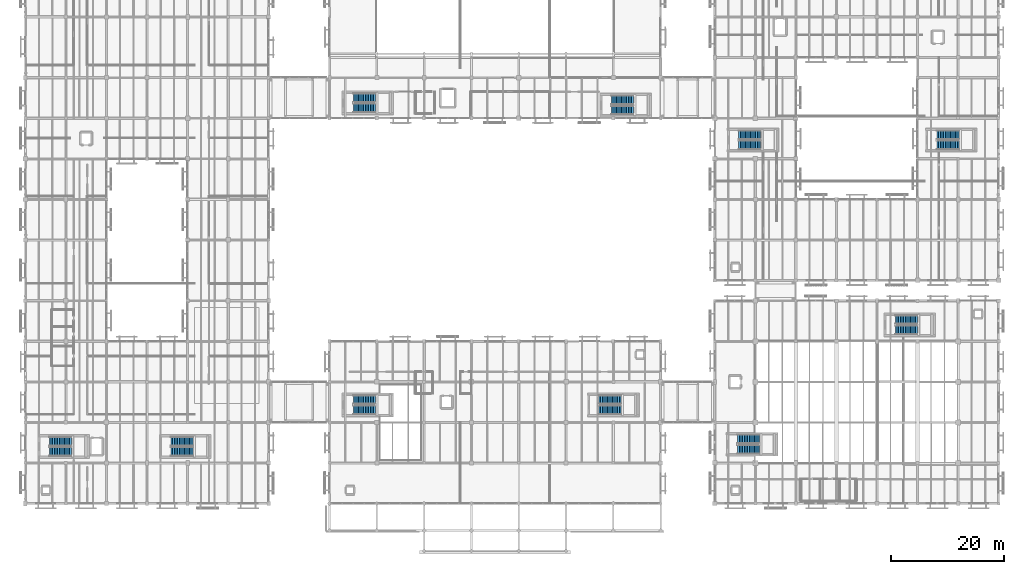
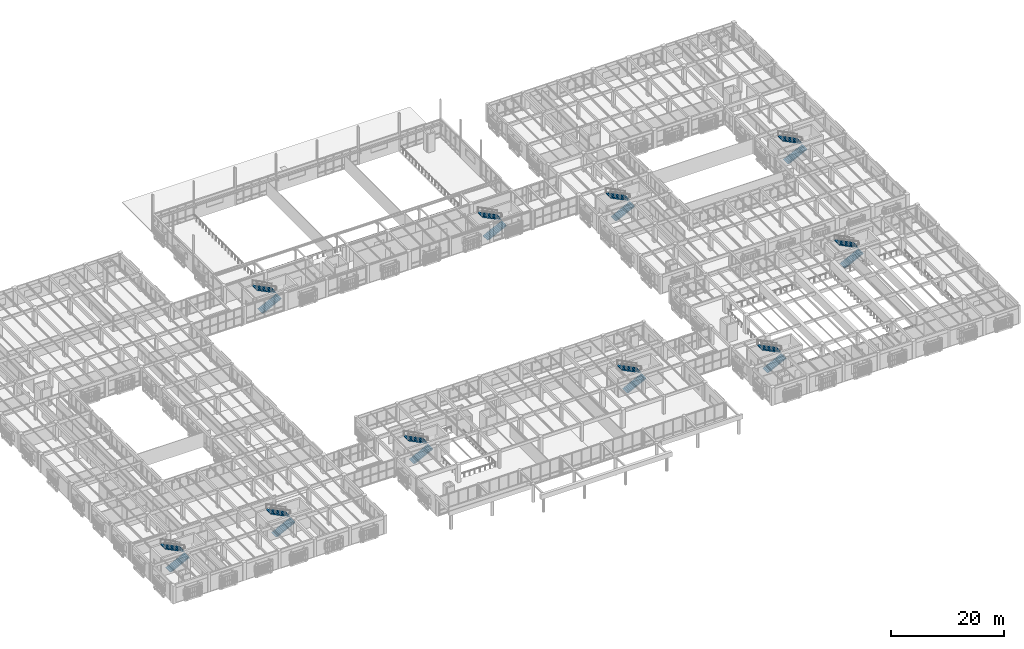
# One storey, part 141 of 170: 20 stair flights, 10 elements without a shape of their own.
"""IFC4 building model written with IfcOpenShell, lengths in metres."""

from ifc_helpers import new_model, si_unit, direction, frame, origin, place, context, subcontext, project, spatial, polyline, outline, extrude, material, type_object, element, aggregate, save


model = new_model("IFC4")

# Units and contexts
model_context = context("Model", 3, precision=1e-05, world=origin(), true_north=direction((0.0, 1.0)))
body_context = subcontext(model_context, "Body", "Model", "MODEL_VIEW")
ifc_project = project(units=[si_unit("LENGTHUNIT", "METRE"), si_unit("AREAUNIT", "SQUARE_METRE"), si_unit("VOLUMEUNIT", "CUBIC_METRE"), si_unit("PLANEANGLEUNIT", "RADIAN"), si_unit("MASSUNIT", "GRAM", prefix="KILO")], contexts=[model_context])

# Site, building, storey
site_placement = place(None, origin())
site = spatial("IfcSite", under=ifc_project, at=site_placement, CompositionType="ELEMENT")
building_placement = place(site_placement, origin())
building = spatial("IfcBuilding", under=site, at=building_placement, Name="Mazaris Harbour Polytechnic", CompositionType="ELEMENT")
storey_placement = place(building_placement, frame((0.0, 0.0, 5.39990234375)))
storey = spatial("IfcBuildingStorey", under=building, at=storey_placement, Name="L01", CompositionType="ELEMENT", Elevation=5.39990234375)

# Stair, stair flights
ifc_material_1 = material(Name="Concrete C40/50", Category="concrete")
stair_type = type_object("IfcStairType", Name="Core Exit Stair H4200", PredefinedType="HALF_TURN_STAIR", material=ifc_material_1)
stair_1_placement = place(storey_placement, origin())
stair_1 = element("IfcStair", 1, at=stair_1_placement, inside=storey, type_object=stair_type, Name="L01 ST01", PredefinedType="HALF_TURN_STAIR")
ifc_material_2 = material(Name="Concrete C40/50", Category="concrete")
stair_flight_type = type_object("IfcStairFlightType", Name="RC Stair Flight W1650", PredefinedType="STRAIGHT", material=ifc_material_2)
stair_flight_1_placement = place(storey_placement, frame((58.25, 77.425048828125, 0.0), z_axis=(0.0, 0.0, 1.0), x_axis=(1.0, 0.0, 0.0)))
stair_flight_1 = element("IfcStairFlight", 2, at=stair_flight_1_placement, type_object=stair_flight_type, Name="ST01 flight 1", NumberOfRisers=14, NumberOfTreads=13, PredefinedType="STRAIGHT", RiserHeight=0.15, TreadLength=0.3, context=body_context, shape_type="SweptSolid", body=[
    extrude(outline(polyline([(0.0, 0.0), (0.0, 0.14990234375), (0.300048828125, 0.14990234375), (0.300048828125, 0.300048828125), (0.60009765625, 0.300048828125), (0.60009765625, 0.449951171875), (0.89990234375, 0.449951171875), (0.89990234375, 0.60009765625), (1.199951171875, 0.60009765625), (1.199951171875, 0.75), (1.5, 0.75), (1.5, 0.89990234375), (1.800048828125, 0.89990234375), (1.800048828125, 1.050048828125), (2.10009765625, 1.050048828125), (2.10009765625, 1.199951171875), (2.39990234375, 1.199951171875), (2.39990234375, 1.35009765625), (2.699951171875, 1.35009765625), (2.699951171875, 1.5), (3.0, 1.5), (3.0, 1.64990234375), (3.300048828125, 1.64990234375), (3.300048828125, 1.800048828125), (3.60009765625, 1.800048828125), (3.60009765625, 1.949951171875), (3.89990234375, 1.949951171875), (3.89990234375, 2.10009765625), (3.89990234375, 1.748779296875), (0.40234375, 0.0), (0.0, 0.0)])), frame((0.0, 0.824951171875, 0.0), z_axis=(0.0, -1.0, 0.0), x_axis=(1.0, 0.0, 0.0)), (0.0, 0.0, 1.0), 1.64990234375),
])
stair_flight_2_placement = place(storey_placement, frame((62.14990234375, 79.22509765625, 2.10009765625), z_axis=(0.0, 0.0, 1.0), x_axis=(-1.0, 0.0, 0.0)))
stair_flight_2 = element("IfcStairFlight", 3, at=stair_flight_2_placement, type_object=stair_flight_type, Name="ST01 flight 2", NumberOfRisers=14, NumberOfTreads=13, PredefinedType="STRAIGHT", RiserHeight=0.15, TreadLength=0.3, context=body_context, shape_type="SweptSolid", body=[
    extrude(outline(polyline([(0.0, 0.0), (0.0, 0.14990234375), (0.300048828125, 0.14990234375), (0.300048828125, 0.300048828125), (0.60009765625, 0.300048828125), (0.60009765625, 0.449951171875), (0.89990234375, 0.449951171875), (0.89990234375, 0.60009765625), (1.199951171875, 0.60009765625), (1.199951171875, 0.75), (1.5, 0.75), (1.5, 0.89990234375), (1.800048828125, 0.89990234375), (1.800048828125, 1.050048828125), (2.10009765625, 1.050048828125), (2.10009765625, 1.199951171875), (2.39990234375, 1.199951171875), (2.39990234375, 1.35009765625), (2.699951171875, 1.35009765625), (2.699951171875, 1.5), (3.0, 1.5), (3.0, 1.64990234375), (3.300048828125, 1.64990234375), (3.300048828125, 1.800048828125), (3.60009765625, 1.800048828125), (3.60009765625, 1.949951171875), (3.89990234375, 1.949951171875), (3.89990234375, 2.10009765625), (3.89990234375, 1.748779296875), (0.40234375, 0.0), (0.0, 0.0)])), frame((0.0, 0.824951171875, 0.0), z_axis=(0.0, -1.0, 0.0), x_axis=(1.0, 0.0, 0.0)), (0.0, 0.0, 1.0), 1.64990234375),
])
aggregate(stair_1, [stair_flight_1, stair_flight_2])

stair_2_placement = place(storey_placement, origin())
stair_2 = element("IfcStair", 4, at=stair_2_placement, inside=storey, type_object=stair_type, Name="L01 ST02", PredefinedType="HALF_TURN_STAIR")
stair_flight_3_placement = place(storey_placement, frame((104.050048828125, 77.02490234375, 0.0), z_axis=(0.0, 0.0, 1.0), x_axis=(1.0, 0.0, 0.0)))
stair_flight_3 = element("IfcStairFlight", 5, at=stair_flight_3_placement, type_object=stair_flight_type, Name="ST02 flight 1", NumberOfRisers=14, NumberOfTreads=13, PredefinedType="STRAIGHT", RiserHeight=0.15, TreadLength=0.3, context=body_context, shape_type="SweptSolid", body=[
    extrude(outline(polyline([(0.0, 0.0), (0.0, 0.14990234375), (0.300048828125, 0.14990234375), (0.300048828125, 0.300048828125), (0.60009765625, 0.300048828125), (0.60009765625, 0.449951171875), (0.89990234375, 0.449951171875), (0.89990234375, 0.60009765625), (1.199951171875, 0.60009765625), (1.199951171875, 0.75), (1.5, 0.75), (1.5, 0.89990234375), (1.800048828125, 0.89990234375), (1.800048828125, 1.050048828125), (2.10009765625, 1.050048828125), (2.10009765625, 1.199951171875), (2.39990234375, 1.199951171875), (2.39990234375, 1.35009765625), (2.699951171875, 1.35009765625), (2.699951171875, 1.5), (3.0, 1.5), (3.0, 1.64990234375), (3.300048828125, 1.64990234375), (3.300048828125, 1.800048828125), (3.60009765625, 1.800048828125), (3.60009765625, 1.949951171875), (3.89990234375, 1.949951171875), (3.89990234375, 2.10009765625), (3.89990234375, 1.748779296875), (0.40234375, 0.0), (0.0, 0.0)])), frame((0.0, 0.824951171875, 0.0), z_axis=(0.0, -1.0, 0.0), x_axis=(1.0, 0.0, 0.0)), (0.0, 0.0, 1.0), 1.64990234375),
])
stair_flight_4_placement = place(storey_placement, frame((107.949951171875, 78.824951171875, 2.10009765625), z_axis=(0.0, 0.0, 1.0), x_axis=(-1.0, 0.0, 0.0)))
stair_flight_4 = element("IfcStairFlight", 6, at=stair_flight_4_placement, type_object=stair_flight_type, Name="ST02 flight 2", NumberOfRisers=14, NumberOfTreads=13, PredefinedType="STRAIGHT", RiserHeight=0.15, TreadLength=0.3, context=body_context, shape_type="SweptSolid", body=[
    extrude(outline(polyline([(0.0, 0.0), (0.0, 0.14990234375), (0.300048828125, 0.14990234375), (0.300048828125, 0.300048828125), (0.60009765625, 0.300048828125), (0.60009765625, 0.449951171875), (0.89990234375, 0.449951171875), (0.89990234375, 0.60009765625), (1.199951171875, 0.60009765625), (1.199951171875, 0.75), (1.5, 0.75), (1.5, 0.89990234375), (1.800048828125, 0.89990234375), (1.800048828125, 1.050048828125), (2.10009765625, 1.050048828125), (2.10009765625, 1.199951171875), (2.39990234375, 1.199951171875), (2.39990234375, 1.35009765625), (2.699951171875, 1.35009765625), (2.699951171875, 1.5), (3.0, 1.5), (3.0, 1.64990234375), (3.300048828125, 1.64990234375), (3.300048828125, 1.800048828125), (3.60009765625, 1.800048828125), (3.60009765625, 1.949951171875), (3.89990234375, 1.949951171875), (3.89990234375, 2.10009765625), (3.89990234375, 1.748779296875), (0.40234375, 0.0), (0.0, 0.0)])), frame((0.0, 0.824951171875, 0.0), z_axis=(0.0, -1.0, 0.0), x_axis=(1.0, 0.0, 0.0)), (0.0, 0.0, 1.0), 1.64990234375),
])
aggregate(stair_2, [stair_flight_3, stair_flight_4])

stair_3_placement = place(storey_placement, origin())
stair_3 = element("IfcStair", 7, at=stair_3_placement, inside=storey, type_object=stair_type, Name="L01 ST03", PredefinedType="HALF_TURN_STAIR")
stair_flight_5_placement = place(storey_placement, frame((126.449951171875, 16.824951171875, 0.0), z_axis=(0.0, 0.0, 1.0), x_axis=(1.0, 0.0, 0.0)))
stair_flight_5 = element("IfcStairFlight", 8, at=stair_flight_5_placement, type_object=stair_flight_type, Name="ST03 flight 1", NumberOfRisers=14, NumberOfTreads=13, PredefinedType="STRAIGHT", RiserHeight=0.15, TreadLength=0.3, context=body_context, shape_type="SweptSolid", body=[
    extrude(outline(polyline([(0.0, 0.0), (0.0, 0.14990234375), (0.300048828125, 0.14990234375), (0.300048828125, 0.300048828125), (0.60009765625, 0.300048828125), (0.60009765625, 0.449951171875), (0.89990234375, 0.449951171875), (0.89990234375, 0.60009765625), (1.199951171875, 0.60009765625), (1.199951171875, 0.75), (1.5, 0.75), (1.5, 0.89990234375), (1.800048828125, 0.89990234375), (1.800048828125, 1.050048828125), (2.10009765625, 1.050048828125), (2.10009765625, 1.199951171875), (2.39990234375, 1.199951171875), (2.39990234375, 1.35009765625), (2.699951171875, 1.35009765625), (2.699951171875, 1.5), (3.0, 1.5), (3.0, 1.64990234375), (3.300048828125, 1.64990234375), (3.300048828125, 1.800048828125), (3.60009765625, 1.800048828125), (3.60009765625, 1.949951171875), (3.89990234375, 1.949951171875), (3.89990234375, 2.10009765625), (3.89990234375, 1.748779296875), (0.40234375, 0.0), (0.0, 0.0)])), frame((0.0, 0.824951171875, 0.0), z_axis=(0.0, -1.0, 0.0), x_axis=(1.0, 0.0, 0.0)), (0.0, 0.0, 1.0), 1.64990234375),
])
stair_flight_6_placement = place(storey_placement, frame((130.35009765625, 18.625, 2.10009765625), z_axis=(0.0, 0.0, 1.0), x_axis=(-1.0, 0.0, 0.0)))
stair_flight_6 = element("IfcStairFlight", 9, at=stair_flight_6_placement, type_object=stair_flight_type, Name="ST03 flight 2", NumberOfRisers=14, NumberOfTreads=13, PredefinedType="STRAIGHT", RiserHeight=0.15, TreadLength=0.3, context=body_context, shape_type="SweptSolid", body=[
    extrude(outline(polyline([(0.0, 0.0), (0.0, 0.14990234375), (0.300048828125, 0.14990234375), (0.300048828125, 0.300048828125), (0.60009765625, 0.300048828125), (0.60009765625, 0.449951171875), (0.89990234375, 0.449951171875), (0.89990234375, 0.60009765625), (1.199951171875, 0.60009765625), (1.199951171875, 0.75), (1.5, 0.75), (1.5, 0.89990234375), (1.800048828125, 0.89990234375), (1.800048828125, 1.050048828125), (2.10009765625, 1.050048828125), (2.10009765625, 1.199951171875), (2.39990234375, 1.199951171875), (2.39990234375, 1.35009765625), (2.699951171875, 1.35009765625), (2.699951171875, 1.5), (3.0, 1.5), (3.0, 1.64990234375), (3.300048828125, 1.64990234375), (3.300048828125, 1.800048828125), (3.60009765625, 1.800048828125), (3.60009765625, 1.949951171875), (3.89990234375, 1.949951171875), (3.89990234375, 2.10009765625), (3.89990234375, 1.748779296875), (0.40234375, 0.0), (0.0, 0.0)])), frame((0.0, 0.824951171875, 0.0), z_axis=(0.0, -1.0, 0.0), x_axis=(1.0, 0.0, 0.0)), (0.0, 0.0, 1.0), 1.64990234375),
])
aggregate(stair_3, [stair_flight_5, stair_flight_6])

stair_4_placement = place(storey_placement, origin())
stair_4 = element("IfcStair", 10, at=stair_4_placement, inside=storey, type_object=stair_type, Name="L01 ST04", PredefinedType="HALF_TURN_STAIR")
stair_flight_7_placement = place(storey_placement, frame((154.449951171875, 38.02490234375, 0.0), z_axis=(0.0, 0.0, 1.0), x_axis=(1.0, 0.0, 0.0)))
stair_flight_7 = element("IfcStairFlight", 11, at=stair_flight_7_placement, type_object=stair_flight_type, Name="ST04 flight 1", NumberOfRisers=14, NumberOfTreads=13, PredefinedType="STRAIGHT", RiserHeight=0.15, TreadLength=0.3, context=body_context, shape_type="SweptSolid", body=[
    extrude(outline(polyline([(0.0, 0.0), (0.0, 0.14990234375), (0.300048828125, 0.14990234375), (0.300048828125, 0.300048828125), (0.60009765625, 0.300048828125), (0.60009765625, 0.449951171875), (0.89990234375, 0.449951171875), (0.89990234375, 0.60009765625), (1.199951171875, 0.60009765625), (1.199951171875, 0.75), (1.5, 0.75), (1.5, 0.89990234375), (1.800048828125, 0.89990234375), (1.800048828125, 1.050048828125), (2.10009765625, 1.050048828125), (2.10009765625, 1.199951171875), (2.39990234375, 1.199951171875), (2.39990234375, 1.35009765625), (2.699951171875, 1.35009765625), (2.699951171875, 1.5), (3.0, 1.5), (3.0, 1.64990234375), (3.300048828125, 1.64990234375), (3.300048828125, 1.800048828125), (3.60009765625, 1.800048828125), (3.60009765625, 1.949951171875), (3.89990234375, 1.949951171875), (3.89990234375, 2.10009765625), (3.89990234375, 1.748779296875), (0.40234375, 0.0), (0.0, 0.0)])), frame((0.0, 0.824951171875, 0.0), z_axis=(0.0, -1.0, 0.0), x_axis=(1.0, 0.0, 0.0)), (0.0, 0.0, 1.0), 1.64990234375),
])
stair_flight_8_placement = place(storey_placement, frame((158.35009765625, 39.824951171875, 2.10009765625), z_axis=(0.0, 0.0, 1.0), x_axis=(-1.0, 0.0, 0.0)))
stair_flight_8 = element("IfcStairFlight", 12, at=stair_flight_8_placement, type_object=stair_flight_type, Name="ST04 flight 2", NumberOfRisers=14, NumberOfTreads=13, PredefinedType="STRAIGHT", RiserHeight=0.15, TreadLength=0.3, context=body_context, shape_type="SweptSolid", body=[
    extrude(outline(polyline([(0.0, 0.0), (0.0, 0.14990234375), (0.300048828125, 0.14990234375), (0.300048828125, 0.300048828125), (0.60009765625, 0.300048828125), (0.60009765625, 0.449951171875), (0.89990234375, 0.449951171875), (0.89990234375, 0.60009765625), (1.199951171875, 0.60009765625), (1.199951171875, 0.75), (1.5, 0.75), (1.5, 0.89990234375), (1.800048828125, 0.89990234375), (1.800048828125, 1.050048828125), (2.10009765625, 1.050048828125), (2.10009765625, 1.199951171875), (2.39990234375, 1.199951171875), (2.39990234375, 1.35009765625), (2.699951171875, 1.35009765625), (2.699951171875, 1.5), (3.0, 1.5), (3.0, 1.64990234375), (3.300048828125, 1.64990234375), (3.300048828125, 1.800048828125), (3.60009765625, 1.800048828125), (3.60009765625, 1.949951171875), (3.89990234375, 1.949951171875), (3.89990234375, 2.10009765625), (3.89990234375, 1.748779296875), (0.40234375, 0.0), (0.0, 0.0)])), frame((0.0, 0.824951171875, 0.0), z_axis=(0.0, -1.0, 0.0), x_axis=(1.0, 0.0, 0.0)), (0.0, 0.0, 1.0), 1.64990234375),
])
aggregate(stair_4, [stair_flight_7, stair_flight_8])

stair_5_placement = place(storey_placement, origin())
stair_5 = element("IfcStair", 13, at=stair_5_placement, inside=storey, type_object=stair_type, Name="L01 ST05", PredefinedType="HALF_TURN_STAIR")
stair_flight_9_placement = place(storey_placement, frame((58.25, 23.824951171875, 0.0), z_axis=(0.0, 0.0, 1.0), x_axis=(1.0, 0.0, 0.0)))
stair_flight_9 = element("IfcStairFlight", 14, at=stair_flight_9_placement, type_object=stair_flight_type, Name="ST05 flight 1", NumberOfRisers=14, NumberOfTreads=13, PredefinedType="STRAIGHT", RiserHeight=0.15, TreadLength=0.3, context=body_context, shape_type="SweptSolid", body=[
    extrude(outline(polyline([(0.0, 0.0), (0.0, 0.14990234375), (0.300048828125, 0.14990234375), (0.300048828125, 0.300048828125), (0.60009765625, 0.300048828125), (0.60009765625, 0.449951171875), (0.89990234375, 0.449951171875), (0.89990234375, 0.60009765625), (1.199951171875, 0.60009765625), (1.199951171875, 0.75), (1.5, 0.75), (1.5, 0.89990234375), (1.800048828125, 0.89990234375), (1.800048828125, 1.050048828125), (2.10009765625, 1.050048828125), (2.10009765625, 1.199951171875), (2.39990234375, 1.199951171875), (2.39990234375, 1.35009765625), (2.699951171875, 1.35009765625), (2.699951171875, 1.5), (3.0, 1.5), (3.0, 1.64990234375), (3.300048828125, 1.64990234375), (3.300048828125, 1.800048828125), (3.60009765625, 1.800048828125), (3.60009765625, 1.949951171875), (3.89990234375, 1.949951171875), (3.89990234375, 2.10009765625), (3.89990234375, 1.748779296875), (0.40234375, 0.0), (0.0, 0.0)])), frame((0.0, 0.824951171875, 0.0), z_axis=(0.0, -1.0, 0.0), x_axis=(1.0, 0.0, 0.0)), (0.0, 0.0, 1.0), 1.64990234375),
])
stair_flight_10_placement = place(storey_placement, frame((62.14990234375, 25.625, 2.10009765625), z_axis=(0.0, 0.0, 1.0), x_axis=(-1.0, 0.0, 0.0)))
stair_flight_10 = element("IfcStairFlight", 15, at=stair_flight_10_placement, type_object=stair_flight_type, Name="ST05 flight 2", NumberOfRisers=14, NumberOfTreads=13, PredefinedType="STRAIGHT", RiserHeight=0.15, TreadLength=0.3, context=body_context, shape_type="SweptSolid", body=[
    extrude(outline(polyline([(0.0, 0.0), (0.0, 0.14990234375), (0.300048828125, 0.14990234375), (0.300048828125, 0.300048828125), (0.60009765625, 0.300048828125), (0.60009765625, 0.449951171875), (0.89990234375, 0.449951171875), (0.89990234375, 0.60009765625), (1.199951171875, 0.60009765625), (1.199951171875, 0.75), (1.5, 0.75), (1.5, 0.89990234375), (1.800048828125, 0.89990234375), (1.800048828125, 1.050048828125), (2.10009765625, 1.050048828125), (2.10009765625, 1.199951171875), (2.39990234375, 1.199951171875), (2.39990234375, 1.35009765625), (2.699951171875, 1.35009765625), (2.699951171875, 1.5), (3.0, 1.5), (3.0, 1.64990234375), (3.300048828125, 1.64990234375), (3.300048828125, 1.800048828125), (3.60009765625, 1.800048828125), (3.60009765625, 1.949951171875), (3.89990234375, 1.949951171875), (3.89990234375, 2.10009765625), (3.89990234375, 1.748779296875), (0.40234375, 0.0), (0.0, 0.0)])), frame((0.0, 0.824951171875, 0.0), z_axis=(0.0, -1.0, 0.0), x_axis=(1.0, 0.0, 0.0)), (0.0, 0.0, 1.0), 1.64990234375),
])
aggregate(stair_5, [stair_flight_9, stair_flight_10])

stair_6_placement = place(storey_placement, origin())
stair_6 = element("IfcStair", 16, at=stair_6_placement, inside=storey, type_object=stair_type, Name="L01 ST06", PredefinedType="HALF_TURN_STAIR")
stair_flight_11_placement = place(storey_placement, frame((101.85009765625, 23.824951171875, 0.0), z_axis=(0.0, 0.0, 1.0), x_axis=(1.0, 0.0, 0.0)))
stair_flight_11 = element("IfcStairFlight", 17, at=stair_flight_11_placement, type_object=stair_flight_type, Name="ST06 flight 1", NumberOfRisers=14, NumberOfTreads=13, PredefinedType="STRAIGHT", RiserHeight=0.15, TreadLength=0.3, context=body_context, shape_type="SweptSolid", body=[
    extrude(outline(polyline([(0.0, 0.0), (0.0, 0.14990234375), (0.300048828125, 0.14990234375), (0.300048828125, 0.300048828125), (0.60009765625, 0.300048828125), (0.60009765625, 0.449951171875), (0.89990234375, 0.449951171875), (0.89990234375, 0.60009765625), (1.199951171875, 0.60009765625), (1.199951171875, 0.75), (1.5, 0.75), (1.5, 0.89990234375), (1.800048828125, 0.89990234375), (1.800048828125, 1.050048828125), (2.10009765625, 1.050048828125), (2.10009765625, 1.199951171875), (2.39990234375, 1.199951171875), (2.39990234375, 1.35009765625), (2.699951171875, 1.35009765625), (2.699951171875, 1.5), (3.0, 1.5), (3.0, 1.64990234375), (3.300048828125, 1.64990234375), (3.300048828125, 1.800048828125), (3.60009765625, 1.800048828125), (3.60009765625, 1.949951171875), (3.89990234375, 1.949951171875), (3.89990234375, 2.10009765625), (3.89990234375, 1.748779296875), (0.40234375, 0.0), (0.0, 0.0)])), frame((0.0, 0.824951171875, 0.0), z_axis=(0.0, -1.0, 0.0), x_axis=(1.0, 0.0, 0.0)), (0.0, 0.0, 1.0), 1.64990234375),
])
stair_flight_12_placement = place(storey_placement, frame((105.75, 25.625, 2.10009765625), z_axis=(0.0, 0.0, 1.0), x_axis=(-1.0, 0.0, 0.0)))
stair_flight_12 = element("IfcStairFlight", 18, at=stair_flight_12_placement, type_object=stair_flight_type, Name="ST06 flight 2", NumberOfRisers=14, NumberOfTreads=13, PredefinedType="STRAIGHT", RiserHeight=0.15, TreadLength=0.3, context=body_context, shape_type="SweptSolid", body=[
    extrude(outline(polyline([(0.0, 0.0), (0.0, 0.14990234375), (0.300048828125, 0.14990234375), (0.300048828125, 0.300048828125), (0.60009765625, 0.300048828125), (0.60009765625, 0.449951171875), (0.89990234375, 0.449951171875), (0.89990234375, 0.60009765625), (1.199951171875, 0.60009765625), (1.199951171875, 0.75), (1.5, 0.75), (1.5, 0.89990234375), (1.800048828125, 0.89990234375), (1.800048828125, 1.050048828125), (2.10009765625, 1.050048828125), (2.10009765625, 1.199951171875), (2.39990234375, 1.199951171875), (2.39990234375, 1.35009765625), (2.699951171875, 1.35009765625), (2.699951171875, 1.5), (3.0, 1.5), (3.0, 1.64990234375), (3.300048828125, 1.64990234375), (3.300048828125, 1.800048828125), (3.60009765625, 1.800048828125), (3.60009765625, 1.949951171875), (3.89990234375, 1.949951171875), (3.89990234375, 2.10009765625), (3.89990234375, 1.748779296875), (0.40234375, 0.0), (0.0, 0.0)])), frame((0.0, 0.824951171875, 0.0), z_axis=(0.0, -1.0, 0.0), x_axis=(1.0, 0.0, 0.0)), (0.0, 0.0, 1.0), 1.64990234375),
])
aggregate(stair_6, [stair_flight_11, stair_flight_12])

stair_7_placement = place(storey_placement, origin())
stair_7 = element("IfcStair", 19, at=stair_7_placement, inside=storey, type_object=stair_type, Name="L01 ST07", PredefinedType="HALF_TURN_STAIR")
stair_flight_13_placement = place(storey_placement, frame((4.25, 16.425048828125, 0.0), z_axis=(0.0, 0.0, 1.0), x_axis=(1.0, 0.0, 0.0)))
stair_flight_13 = element("IfcStairFlight", 20, at=stair_flight_13_placement, type_object=stair_flight_type, Name="ST07 flight 1", NumberOfRisers=14, NumberOfTreads=13, PredefinedType="STRAIGHT", RiserHeight=0.15, TreadLength=0.3, context=body_context, shape_type="SweptSolid", body=[
    extrude(outline(polyline([(0.0, 0.0), (0.0, 0.14990234375), (0.300048828125, 0.14990234375), (0.300048828125, 0.300048828125), (0.60009765625, 0.300048828125), (0.60009765625, 0.449951171875), (0.89990234375, 0.449951171875), (0.89990234375, 0.60009765625), (1.199951171875, 0.60009765625), (1.199951171875, 0.75), (1.5, 0.75), (1.5, 0.89990234375), (1.800048828125, 0.89990234375), (1.800048828125, 1.050048828125), (2.10009765625, 1.050048828125), (2.10009765625, 1.199951171875), (2.39990234375, 1.199951171875), (2.39990234375, 1.35009765625), (2.699951171875, 1.35009765625), (2.699951171875, 1.5), (3.0, 1.5), (3.0, 1.64990234375), (3.300048828125, 1.64990234375), (3.300048828125, 1.800048828125), (3.60009765625, 1.800048828125), (3.60009765625, 1.949951171875), (3.89990234375, 1.949951171875), (3.89990234375, 2.10009765625), (3.89990234375, 1.748779296875), (0.40234375, 0.0), (0.0, 0.0)])), frame((0.0, 0.824951171875, 0.0), z_axis=(0.0, -1.0, 0.0), x_axis=(1.0, 0.0, 0.0)), (0.0, 0.0, 1.0), 1.64990234375),
])
stair_flight_14_placement = place(storey_placement, frame((8.14990234375, 18.22509765625, 2.10009765625), z_axis=(0.0, 0.0, 1.0), x_axis=(-1.0, 0.0, 0.0)))
stair_flight_14 = element("IfcStairFlight", 21, at=stair_flight_14_placement, type_object=stair_flight_type, Name="ST07 flight 2", NumberOfRisers=14, NumberOfTreads=13, PredefinedType="STRAIGHT", RiserHeight=0.15, TreadLength=0.3, context=body_context, shape_type="SweptSolid", body=[
    extrude(outline(polyline([(0.0, 0.0), (0.0, 0.14990234375), (0.300048828125, 0.14990234375), (0.300048828125, 0.300048828125), (0.60009765625, 0.300048828125), (0.60009765625, 0.449951171875), (0.89990234375, 0.449951171875), (0.89990234375, 0.60009765625), (1.199951171875, 0.60009765625), (1.199951171875, 0.75), (1.5, 0.75), (1.5, 0.89990234375), (1.800048828125, 0.89990234375), (1.800048828125, 1.050048828125), (2.10009765625, 1.050048828125), (2.10009765625, 1.199951171875), (2.39990234375, 1.199951171875), (2.39990234375, 1.35009765625), (2.699951171875, 1.35009765625), (2.699951171875, 1.5), (3.0, 1.5), (3.0, 1.64990234375), (3.300048828125, 1.64990234375), (3.300048828125, 1.800048828125), (3.60009765625, 1.800048828125), (3.60009765625, 1.949951171875), (3.89990234375, 1.949951171875), (3.89990234375, 2.10009765625), (3.89990234375, 1.748779296875), (0.40234375, 0.0), (0.0, 0.0)])), frame((0.0, 0.824951171875, 0.0), z_axis=(0.0, -1.0, 0.0), x_axis=(1.0, 0.0, 0.0)), (0.0, 0.0, 1.0), 1.64990234375),
])
aggregate(stair_7, [stair_flight_13, stair_flight_14])

stair_8_placement = place(storey_placement, origin())
stair_8 = element("IfcStair", 22, at=stair_8_placement, inside=storey, type_object=stair_type, Name="L01 ST08", PredefinedType="HALF_TURN_STAIR")
stair_flight_15_placement = place(storey_placement, frame((25.85009765625, 16.425048828125, 0.0), z_axis=(0.0, 0.0, 1.0), x_axis=(1.0, 0.0, 0.0)))
stair_flight_15 = element("IfcStairFlight", 23, at=stair_flight_15_placement, type_object=stair_flight_type, Name="ST08 flight 1", NumberOfRisers=14, NumberOfTreads=13, PredefinedType="STRAIGHT", RiserHeight=0.15, TreadLength=0.3, context=body_context, shape_type="SweptSolid", body=[
    extrude(outline(polyline([(0.0, 0.0), (0.0, 0.14990234375), (0.300048828125, 0.14990234375), (0.300048828125, 0.300048828125), (0.60009765625, 0.300048828125), (0.60009765625, 0.449951171875), (0.89990234375, 0.449951171875), (0.89990234375, 0.60009765625), (1.199951171875, 0.60009765625), (1.199951171875, 0.75), (1.5, 0.75), (1.5, 0.89990234375), (1.800048828125, 0.89990234375), (1.800048828125, 1.050048828125), (2.10009765625, 1.050048828125), (2.10009765625, 1.199951171875), (2.39990234375, 1.199951171875), (2.39990234375, 1.35009765625), (2.699951171875, 1.35009765625), (2.699951171875, 1.5), (3.0, 1.5), (3.0, 1.64990234375), (3.300048828125, 1.64990234375), (3.300048828125, 1.800048828125), (3.60009765625, 1.800048828125), (3.60009765625, 1.949951171875), (3.89990234375, 1.949951171875), (3.89990234375, 2.10009765625), (3.89990234375, 1.748779296875), (0.40234375, 0.0), (0.0, 0.0)])), frame((0.0, 0.824951171875, 0.0), z_axis=(0.0, -1.0, 0.0), x_axis=(1.0, 0.0, 0.0)), (0.0, 0.0, 1.0), 1.64990234375),
])
stair_flight_16_placement = place(storey_placement, frame((29.75, 18.22509765625, 2.10009765625), z_axis=(0.0, 0.0, 1.0), x_axis=(-1.0, 0.0, 0.0)))
stair_flight_16 = element("IfcStairFlight", 24, at=stair_flight_16_placement, type_object=stair_flight_type, Name="ST08 flight 2", NumberOfRisers=14, NumberOfTreads=13, PredefinedType="STRAIGHT", RiserHeight=0.15, TreadLength=0.3, context=body_context, shape_type="SweptSolid", body=[
    extrude(outline(polyline([(0.0, 0.0), (0.0, 0.14990234375), (0.300048828125, 0.14990234375), (0.300048828125, 0.300048828125), (0.60009765625, 0.300048828125), (0.60009765625, 0.449951171875), (0.89990234375, 0.449951171875), (0.89990234375, 0.60009765625), (1.199951171875, 0.60009765625), (1.199951171875, 0.75), (1.5, 0.75), (1.5, 0.89990234375), (1.800048828125, 0.89990234375), (1.800048828125, 1.050048828125), (2.10009765625, 1.050048828125), (2.10009765625, 1.199951171875), (2.39990234375, 1.199951171875), (2.39990234375, 1.35009765625), (2.699951171875, 1.35009765625), (2.699951171875, 1.5), (3.0, 1.5), (3.0, 1.64990234375), (3.300048828125, 1.64990234375), (3.300048828125, 1.800048828125), (3.60009765625, 1.800048828125), (3.60009765625, 1.949951171875), (3.89990234375, 1.949951171875), (3.89990234375, 2.10009765625), (3.89990234375, 1.748779296875), (0.40234375, 0.0), (0.0, 0.0)])), frame((0.0, 0.824951171875, 0.0), z_axis=(0.0, -1.0, 0.0), x_axis=(1.0, 0.0, 0.0)), (0.0, 0.0, 1.0), 1.64990234375),
])
aggregate(stair_8, [stair_flight_15, stair_flight_16])

stair_9_placement = place(storey_placement, origin())
stair_9 = element("IfcStair", 25, at=stair_9_placement, inside=storey, type_object=stair_type, Name="L01 ST09", PredefinedType="HALF_TURN_STAIR")
stair_flight_17_placement = place(storey_placement, frame((126.64990234375, 70.824951171875, 0.0), z_axis=(0.0, 0.0, 1.0), x_axis=(1.0, 0.0, 0.0)))
stair_flight_17 = element("IfcStairFlight", 26, at=stair_flight_17_placement, type_object=stair_flight_type, Name="ST09 flight 1", NumberOfRisers=14, NumberOfTreads=13, PredefinedType="STRAIGHT", RiserHeight=0.15, TreadLength=0.3, context=body_context, shape_type="SweptSolid", body=[
    extrude(outline(polyline([(0.0, 0.0), (0.0, 0.14990234375), (0.300048828125, 0.14990234375), (0.300048828125, 0.300048828125), (0.60009765625, 0.300048828125), (0.60009765625, 0.449951171875), (0.89990234375, 0.449951171875), (0.89990234375, 0.60009765625), (1.199951171875, 0.60009765625), (1.199951171875, 0.75), (1.5, 0.75), (1.5, 0.89990234375), (1.800048828125, 0.89990234375), (1.800048828125, 1.050048828125), (2.10009765625, 1.050048828125), (2.10009765625, 1.199951171875), (2.39990234375, 1.199951171875), (2.39990234375, 1.35009765625), (2.699951171875, 1.35009765625), (2.699951171875, 1.5), (3.0, 1.5), (3.0, 1.64990234375), (3.300048828125, 1.64990234375), (3.300048828125, 1.800048828125), (3.60009765625, 1.800048828125), (3.60009765625, 1.949951171875), (3.89990234375, 1.949951171875), (3.89990234375, 2.10009765625), (3.89990234375, 1.748779296875), (0.40234375, 0.0), (0.0, 0.0)])), frame((0.0, 0.824951171875, 0.0), z_axis=(0.0, -1.0, 0.0), x_axis=(1.0, 0.0, 0.0)), (0.0, 0.0, 1.0), 1.64990234375),
])
stair_flight_18_placement = place(storey_placement, frame((130.550048828125, 72.625, 2.10009765625), z_axis=(0.0, 0.0, 1.0), x_axis=(-1.0, 0.0, 0.0)))
stair_flight_18 = element("IfcStairFlight", 27, at=stair_flight_18_placement, type_object=stair_flight_type, Name="ST09 flight 2", NumberOfRisers=14, NumberOfTreads=13, PredefinedType="STRAIGHT", RiserHeight=0.15, TreadLength=0.3, context=body_context, shape_type="SweptSolid", body=[
    extrude(outline(polyline([(0.0, 0.0), (0.0, 0.14990234375), (0.300048828125, 0.14990234375), (0.300048828125, 0.300048828125), (0.60009765625, 0.300048828125), (0.60009765625, 0.449951171875), (0.89990234375, 0.449951171875), (0.89990234375, 0.60009765625), (1.199951171875, 0.60009765625), (1.199951171875, 0.75), (1.5, 0.75), (1.5, 0.89990234375), (1.800048828125, 0.89990234375), (1.800048828125, 1.050048828125), (2.10009765625, 1.050048828125), (2.10009765625, 1.199951171875), (2.39990234375, 1.199951171875), (2.39990234375, 1.35009765625), (2.699951171875, 1.35009765625), (2.699951171875, 1.5), (3.0, 1.5), (3.0, 1.64990234375), (3.300048828125, 1.64990234375), (3.300048828125, 1.800048828125), (3.60009765625, 1.800048828125), (3.60009765625, 1.949951171875), (3.89990234375, 1.949951171875), (3.89990234375, 2.10009765625), (3.89990234375, 1.748779296875), (0.40234375, 0.0), (0.0, 0.0)])), frame((0.0, 0.824951171875, 0.0), z_axis=(0.0, -1.0, 0.0), x_axis=(1.0, 0.0, 0.0)), (0.0, 0.0, 1.0), 1.64990234375),
])
aggregate(stair_9, [stair_flight_17, stair_flight_18])

stair_10_placement = place(storey_placement, origin())
stair_10 = element("IfcStair", 28, at=stair_10_placement, inside=storey, type_object=stair_type, Name="L01 ST10", PredefinedType="HALF_TURN_STAIR")
stair_flight_19_placement = place(storey_placement, frame((161.85009765625, 70.824951171875, 0.0), z_axis=(0.0, 0.0, 1.0), x_axis=(1.0, 0.0, 0.0)))
stair_flight_19 = element("IfcStairFlight", 29, at=stair_flight_19_placement, type_object=stair_flight_type, Name="ST10 flight 1", NumberOfRisers=14, NumberOfTreads=13, PredefinedType="STRAIGHT", RiserHeight=0.15, TreadLength=0.3, context=body_context, shape_type="SweptSolid", body=[
    extrude(outline(polyline([(0.0, 0.0), (0.0, 0.14990234375), (0.300048828125, 0.14990234375), (0.300048828125, 0.300048828125), (0.60009765625, 0.300048828125), (0.60009765625, 0.449951171875), (0.89990234375, 0.449951171875), (0.89990234375, 0.60009765625), (1.199951171875, 0.60009765625), (1.199951171875, 0.75), (1.5, 0.75), (1.5, 0.89990234375), (1.800048828125, 0.89990234375), (1.800048828125, 1.050048828125), (2.10009765625, 1.050048828125), (2.10009765625, 1.199951171875), (2.39990234375, 1.199951171875), (2.39990234375, 1.35009765625), (2.699951171875, 1.35009765625), (2.699951171875, 1.5), (3.0, 1.5), (3.0, 1.64990234375), (3.300048828125, 1.64990234375), (3.300048828125, 1.800048828125), (3.60009765625, 1.800048828125), (3.60009765625, 1.949951171875), (3.89990234375, 1.949951171875), (3.89990234375, 2.10009765625), (3.89990234375, 1.748779296875), (0.40234375, 0.0), (0.0, 0.0)])), frame((0.0, 0.824951171875, 0.0), z_axis=(0.0, -1.0, 0.0), x_axis=(1.0, 0.0, 0.0)), (0.0, 0.0, 1.0), 1.64990234375),
])
stair_flight_20_placement = place(storey_placement, frame((165.75, 72.625, 2.10009765625), z_axis=(0.0, 0.0, 1.0), x_axis=(-1.0, 0.0, 0.0)))
stair_flight_20 = element("IfcStairFlight", 30, at=stair_flight_20_placement, type_object=stair_flight_type, Name="ST10 flight 2", NumberOfRisers=14, NumberOfTreads=13, PredefinedType="STRAIGHT", RiserHeight=0.15, TreadLength=0.3, context=body_context, shape_type="SweptSolid", body=[
    extrude(outline(polyline([(0.0, 0.0), (0.0, 0.14990234375), (0.300048828125, 0.14990234375), (0.300048828125, 0.300048828125), (0.60009765625, 0.300048828125), (0.60009765625, 0.449951171875), (0.89990234375, 0.449951171875), (0.89990234375, 0.60009765625), (1.199951171875, 0.60009765625), (1.199951171875, 0.75), (1.5, 0.75), (1.5, 0.89990234375), (1.800048828125, 0.89990234375), (1.800048828125, 1.050048828125), (2.10009765625, 1.050048828125), (2.10009765625, 1.199951171875), (2.39990234375, 1.199951171875), (2.39990234375, 1.35009765625), (2.699951171875, 1.35009765625), (2.699951171875, 1.5), (3.0, 1.5), (3.0, 1.64990234375), (3.300048828125, 1.64990234375), (3.300048828125, 1.800048828125), (3.60009765625, 1.800048828125), (3.60009765625, 1.949951171875), (3.89990234375, 1.949951171875), (3.89990234375, 2.10009765625), (3.89990234375, 1.748779296875), (0.40234375, 0.0), (0.0, 0.0)])), frame((0.0, 0.824951171875, 0.0), z_axis=(0.0, -1.0, 0.0), x_axis=(1.0, 0.0, 0.0)), (0.0, 0.0, 1.0), 1.64990234375),
])
aggregate(stair_10, [stair_flight_19, stair_flight_20])

save(model, "model.ifc")
